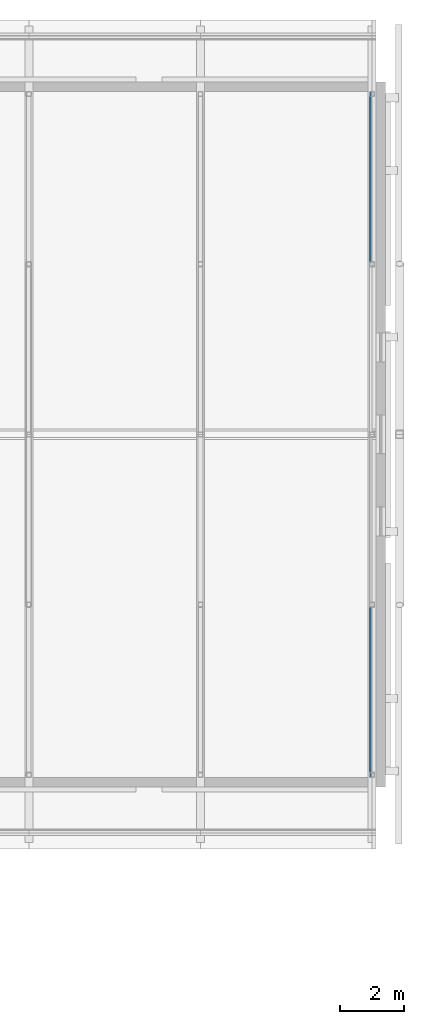
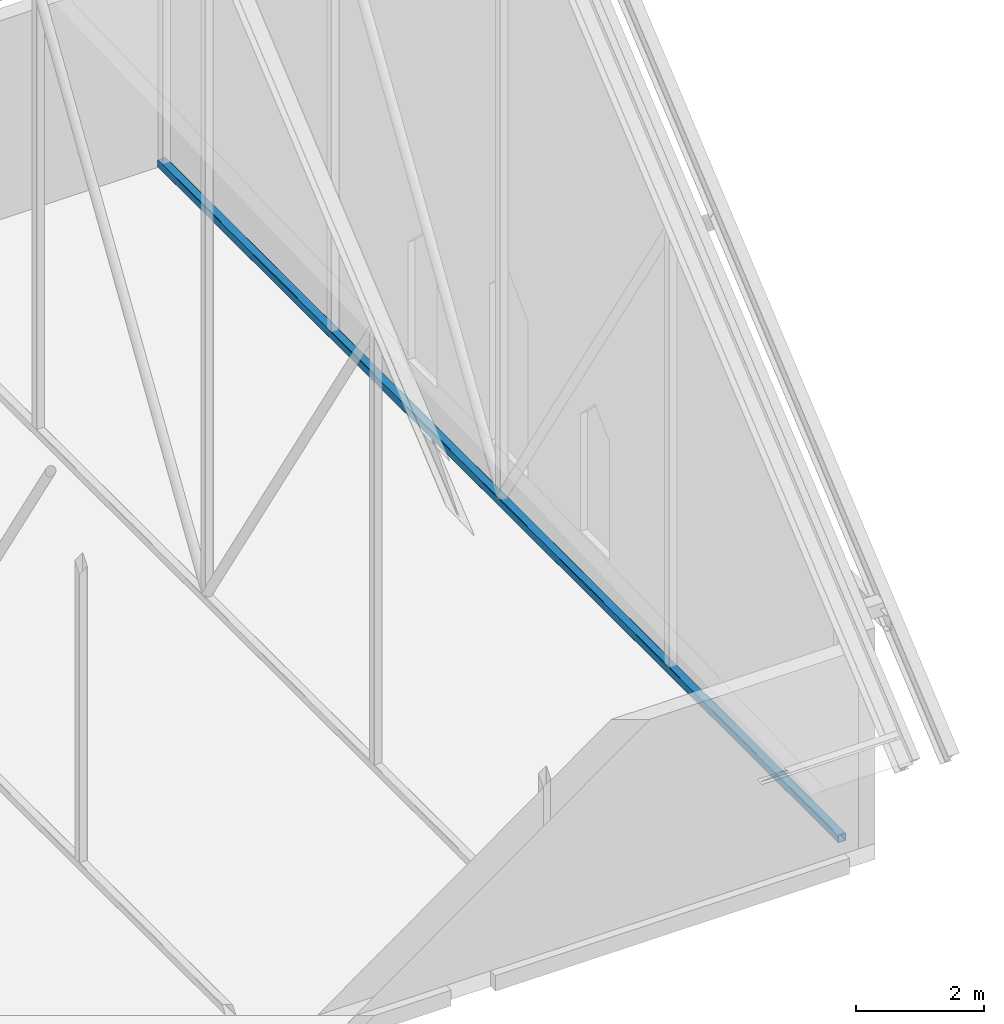
# One storey, part 14 of 29: 1 member.
"""IFC4 building model written with IfcOpenShell, lengths in metres."""

from ifc_helpers import new_model, si_unit, direction, frame, origin, origin_2d, place, context, subcontext, project, spatial, hollow_rectangle, extrude, material, material_profile, profile_set, type_object, element, save


model = new_model("IFC4")

# Units and contexts
model_context = context("Model", 3, precision=1e-05, world=origin(), true_north=direction((0.0, 1.0)))
body_context = subcontext(model_context, "Body", "Model", "MODEL_VIEW")
ifc_project = project(units=[si_unit("LENGTHUNIT", "METRE"), si_unit("AREAUNIT", "SQUARE_METRE"), si_unit("VOLUMEUNIT", "CUBIC_METRE"), si_unit("PLANEANGLEUNIT", "RADIAN"), si_unit("MASSUNIT", "GRAM", prefix="KILO")], contexts=[model_context])

# Site, building, storey
site_placement = place(None, origin())
site = spatial("IfcSite", under=ifc_project, at=site_placement, CompositionType="ELEMENT")
building_placement = place(site_placement, origin())
building = spatial("IfcBuilding", under=site, at=building_placement, Name="Silangan Lancet Faculty of Sciences", CompositionType="ELEMENT")
storey_placement = place(building_placement, frame((0.0, 0.0, 54.300048828125)))
storey = spatial("IfcBuildingStorey", under=building, at=storey_placement, Name="L11", CompositionType="ELEMENT", Elevation=54.300048828125)

# Member
ifc_material = material(Name="Steel STKR400", Category="steel")
ifc_material_profile = material_profile(ifc_material, hollow_rectangle(XDim=0.14990234375, YDim=0.14990234375, WallThickness=0.009033203125, InnerFilletRadius=0.009033203125, OuterFilletRadius=0.01806640625, at=origin_2d()), Name="SHS 150x150x9.0")
ifc_profile_set = profile_set([ifc_material_profile], Name="Steel STKR400")
member_type = type_object("IfcMemberType", Name="Truss bottom chord SHS 150x150x9.0", PredefinedType="CHORD", material=ifc_profile_set)
member_placement = place(storey_placement, frame((28.52490234375, 36.14990234375, 0.074951171875), z_axis=(0.0, 1.0, 0.0), x_axis=(-1.0, 0.0, 0.0)))
element("IfcMember", 1, at=member_placement, inside=storey, type_object=member_type, Name="Gable truss 5 tie", PredefinedType="CHORD", context=body_context, shape_type="SweptSolid", body=[
    extrude(hollow_rectangle(XDim=0.14990234375, YDim=0.14990234375, WallThickness=0.009033203125, InnerFilletRadius=0.009033203125, OuterFilletRadius=0.01806640625, at=origin_2d()), origin(), (0.0, 0.0, 1.0), 21.300048828125),
])

save(model, "model.ifc")
